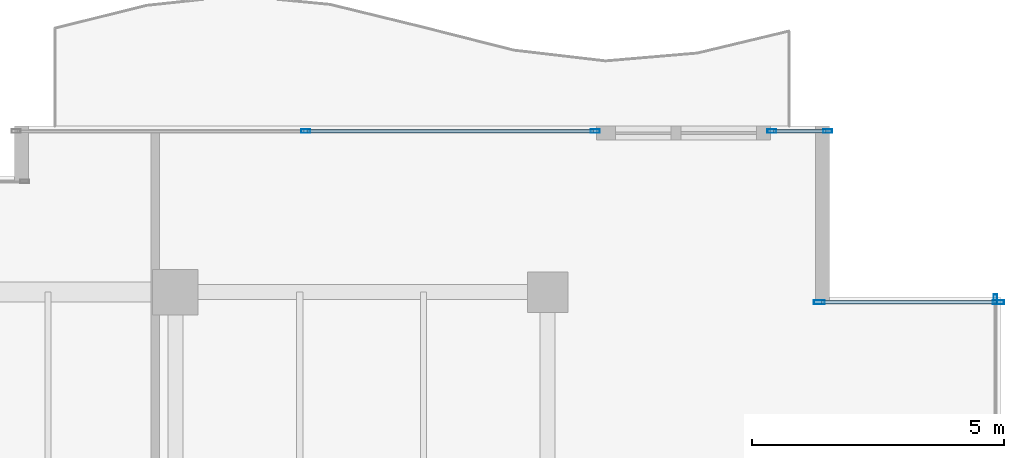
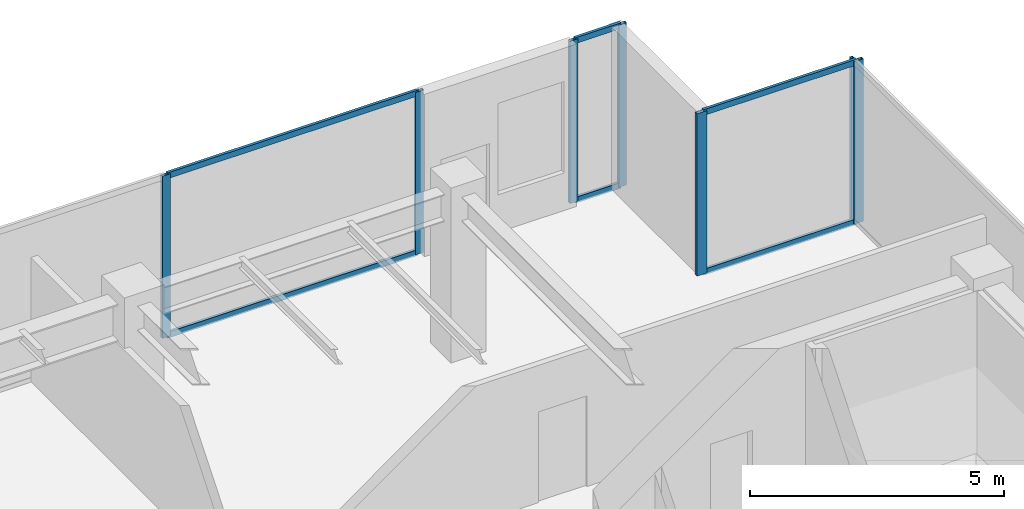
# One storey, part 23 of 31: 13 members, 4 elements without a shape of their own.
"""IFC4 building model written with IfcOpenShell, lengths in metres."""

from ifc_helpers import new_model, si_unit, direction, frame, origin, origin_2d, place, context, subcontext, project, spatial, hollow_rectangle, extrude, source, transform, mapped, material, layer, layer_set, material_profile, profile_set, type_object, type_shapes, element, aggregate, save


model = new_model("IFC4")

# Units and contexts
model_context = context("Model", 3, precision=1e-05, world=origin(), true_north=direction((0.0, 1.0)))
body_context = subcontext(model_context, "Body", "Model", "MODEL_VIEW")
ifc_project = project(units=[si_unit("LENGTHUNIT", "METRE"), si_unit("AREAUNIT", "SQUARE_METRE"), si_unit("VOLUMEUNIT", "CUBIC_METRE"), si_unit("PLANEANGLEUNIT", "RADIAN"), si_unit("MASSUNIT", "GRAM", prefix="KILO")], contexts=[model_context])

# Site, building, storey
site_placement = place(None, origin())
site = spatial("IfcSite", under=ifc_project, at=site_placement, CompositionType="ELEMENT")
building_placement = place(site_placement, origin())
building = spatial("IfcBuilding", under=site, at=building_placement, Name="Haelvirn Gate Laboratories", CompositionType="ELEMENT")
storey_placement = place(building_placement, frame((0.0, 0.0, 310.199951171875)))
storey = spatial("IfcBuildingStorey", under=building, at=storey_placement, Name="L74", CompositionType="ELEMENT", Elevation=310.199951171875)

# Curtain wall, members
ifc_material_1 = material(Name="Anodised bronze unitised aluminium & triple low-E glass", Category="aluminium")
ifc_layer_1 = layer(ifc_material_1, 0.176025390625, Name="CW-SYS-4")
ifc_layer_set_1 = layer_set([ifc_layer_1], Name="Anodised bronze unitised aluminium & triple low-E glass")
curtain_wall_type_1 = type_object("IfcCurtainWallType", Name="CW-SYS-4", PredefinedType="NOTDEFINED", material=ifc_layer_set_1)
curtain_wall_1_placement = place(storey_placement, origin())
curtain_wall_1 = element("IfcCurtainWall", 1, at=curtain_wall_1_placement, inside=storey, type_object=curtain_wall_type_1, Name="L74 Unitised Curtain Wall CW-L74-P0-E10-2", PredefinedType="NOTDEFINED")
ifc_material_2 = material(Name="Extruded aluminium 6063-T6 (anodised bronze)", Category="aluminium")
ifc_material_profile_1 = material_profile(ifc_material_2, hollow_rectangle(XDim=0.06494140625, YDim=0.139892578125, WallThickness=0.00390625, at=origin_2d()), Name="CWT-140x65x4")
ifc_profile_set_1 = profile_set([ifc_material_profile_1], Name="Extruded aluminium 6063-T6 (anodised bronze)")
member_type_1 = type_object("IfcMemberType", Name="CWT-T140", PredefinedType="USERDEFINED", material=ifc_profile_set_1)
shared_shape_1 = source(origin(), body_context, "Body", "SweptSolid", [
    extrude(hollow_rectangle(XDim=0.06494140625, YDim=0.139892578125, WallThickness=0.00390625, at=origin_2d()), origin(), (0.0, 0.0, 1.0), 1.0400390625),
])
member_1_placement = place(storey_placement, frame((64.489990234375, 44.800048828125, 0.032470703125), z_axis=(1.0, 0.0, 0.0), x_axis=(0.0, 1.0, 0.0)))
member_1 = element("IfcMember", 2, at=member_1_placement, type_object=member_type_1, Name="CW4 transom 1.1", ObjectType="TRANSOM", PredefinedType="USERDEFINED", context=body_context, shape_type="MappedRepresentation", body=[
    mapped(shared_shape_1, transform((0.0, 0.0, 0.0), scale=1.0)),
])
member_2_placement = place(storey_placement, frame((64.489990234375, 44.800048828125, 3.867431640625), z_axis=(1.0, 0.0, 0.0), x_axis=(0.0, 1.0, 0.0)))
member_2 = element("IfcMember", 3, at=member_2_placement, type_object=member_type_1, Name="CW4 transom 1.2", ObjectType="TRANSOM", PredefinedType="USERDEFINED", context=body_context, shape_type="MappedRepresentation", body=[
    mapped(shared_shape_1, transform((0.0, 0.0, 0.0), scale=1.0)),
])

ifc_layer_2 = layer(ifc_material_1, 0.181884765625, Name="CW-SYS-5")
ifc_layer_set_2 = layer_set([ifc_layer_2], Name="Anodised bronze unitised aluminium & triple low-E glass")
curtain_wall_type_2 = type_object("IfcCurtainWallType", Name="CW-SYS-5", PredefinedType="NOTDEFINED", material=ifc_layer_set_2)
curtain_wall_2_placement = place(storey_placement, origin())
curtain_wall_2 = element("IfcCurtainWall", 4, at=curtain_wall_2_placement, inside=storey, type_object=curtain_wall_type_2, Name="L74 Unitised Curtain Wall CW-L74-P0-E08-1", PredefinedType="NOTDEFINED")
shared_shape_2 = source(origin(), body_context, "Body", "SweptSolid", [
    extrude(hollow_rectangle(XDim=0.06494140625, YDim=0.139892578125, WallThickness=0.00390625, at=origin_2d()), origin(), (0.0, 0.0, 1.0), 3.47998046875),
])
member_3_placement = place(storey_placement, frame((65.43994140625, 41.39990234375, 0.032470703125), z_axis=(1.0, 0.0, 0.0), x_axis=(0.0, 1.0, 0.0)))
member_3 = element("IfcMember", 5, at=member_3_placement, type_object=member_type_1, Name="CW5 transom 1.1", ObjectType="TRANSOM", PredefinedType="USERDEFINED", context=body_context, shape_type="MappedRepresentation", body=[
    mapped(shared_shape_2, transform((0.0, 0.0, 0.0), scale=1.0)),
])
member_4_placement = place(storey_placement, frame((65.43994140625, 41.39990234375, 3.867431640625), z_axis=(1.0, 0.0, 0.0), x_axis=(0.0, 1.0, 0.0)))
member_4 = element("IfcMember", 6, at=member_4_placement, type_object=member_type_1, Name="CW5 transom 1.2", ObjectType="TRANSOM", PredefinedType="USERDEFINED", context=body_context, shape_type="MappedRepresentation", body=[
    mapped(shared_shape_2, transform((0.0, 0.0, 0.0), scale=1.0)),
])

# Curtain wall, member
curtain_wall_3_placement = place(storey_placement, origin())
curtain_wall_3 = element("IfcCurtainWall", 7, at=curtain_wall_3_placement, inside=storey, type_object=curtain_wall_type_1, Name="L74 Unitised Curtain Wall CW-L74-P0-E07", PredefinedType="NOTDEFINED")
ifc_material_profile_2 = material_profile(ifc_material_2, hollow_rectangle(XDim=0.070068359375, YDim=0.179931640625, WallThickness=0.0048828125, at=origin_2d()), Name="CWM-180x70x5")
ifc_profile_set_2 = profile_set([ifc_material_profile_2], Name="Extruded aluminium 6063-T6 (anodised bronze)")
member_type_2 = type_object("IfcMemberType", Name="CWM-T180", PredefinedType="MULLION", material=ifc_profile_set_2)
shared_shape_3 = source(origin(), body_context, "Body", "SweptSolid", [
    extrude(hollow_rectangle(XDim=0.070068359375, YDim=0.179931640625, WallThickness=0.0048828125, at=origin_2d()), origin(), (0.0, 0.0, 1.0), 3.900146484375),
])
type_shapes(member_type_2, [shared_shape_3])
member_5_placement = place(storey_placement, frame((68.89990234375, 41.465087890625, 0.0), z_axis=(0.0, 0.0, 1.0), x_axis=(-1.0, 0.0, 0.0)))
member_5 = element("IfcMember", 8, at=member_5_placement, type_object=member_type_2, Name="CW4 mullion 3", PredefinedType="MULLION", context=body_context, shape_type="MappedRepresentation", body=[
    mapped(shared_shape_3, transform((0.0, 0.0, 0.0), scale=1.0)),
])
aggregate(curtain_wall_3, [member_5])

# Curtain wall, members
curtain_wall_4_placement = place(storey_placement, origin())
curtain_wall_4 = element("IfcCurtainWall", 9, at=curtain_wall_4_placement, inside=storey, type_object=curtain_wall_type_1, Name="L74 Unitised Curtain Wall CW-L74-P0-E10-1", PredefinedType="NOTDEFINED")
member_6_placement = place(storey_placement, frame((55.18994140625, 44.800048828125, 0.0), z_axis=(0.0, 0.0, 1.0), x_axis=(0.0, 1.0, 0.0)))
member_6 = element("IfcMember", 10, at=member_6_placement, type_object=member_type_2, Name="CW4 mullion 2", PredefinedType="MULLION", context=body_context, shape_type="MappedRepresentation", body=[
    mapped(shared_shape_3, transform((0.0, 0.0, 0.0), scale=1.0)),
])
member_7_placement = place(storey_placement, frame((60.945068359375, 44.800048828125, 0.0), z_axis=(0.0, 0.0, 1.0), x_axis=(0.0, 1.0, 0.0)))
member_7 = element("IfcMember", 11, at=member_7_placement, type_object=member_type_2, Name="CW4 mullion 3", PredefinedType="MULLION", context=body_context, shape_type="MappedRepresentation", body=[
    mapped(shared_shape_3, transform((0.0, 0.0, 0.0), scale=1.0)),
])

# Member
member_8_placement = place(storey_placement, frame((64.455078125, 44.800048828125, 0.0), z_axis=(0.0, 0.0, 1.0), x_axis=(0.0, 1.0, 0.0)))
member_8 = element("IfcMember", 12, at=member_8_placement, type_object=member_type_2, Name="CW4 mullion 1", PredefinedType="MULLION", context=body_context, shape_type="MappedRepresentation", body=[
    mapped(shared_shape_3, transform((0.0, 0.0, 0.0), scale=1.0)),
])

member_9_placement = place(storey_placement, frame((65.56494140625, 44.800048828125, 0.0), z_axis=(0.0, 0.0, 1.0), x_axis=(0.0, 1.0, 0.0)))
member_9 = element("IfcMember", 13, at=member_9_placement, type_object=member_type_2, Name="CW4 mullion 2", PredefinedType="MULLION", context=body_context, shape_type="MappedRepresentation", body=[
    mapped(shared_shape_3, transform((0.0, 0.0, 0.0), scale=1.0)),
])

aggregate(curtain_wall_1, [member_8, member_9, member_1, member_2])

ifc_material_profile_3 = material_profile(ifc_material_2, hollow_rectangle(XDim=0.080078125, YDim=0.219970703125, WallThickness=0.006103515625, at=origin_2d()), Name="CWM-220x80x6")
ifc_profile_set_3 = profile_set([ifc_material_profile_3], Name="Extruded aluminium 6063-T6 (anodised bronze)")
member_type_3 = type_object("IfcMemberType", Name="CWM-T220", PredefinedType="MULLION", material=ifc_profile_set_3)
shared_shape_4 = source(origin(), body_context, "Body", "SweptSolid", [
    extrude(hollow_rectangle(XDim=0.080078125, YDim=0.219970703125, WallThickness=0.006103515625, at=origin_2d()), origin(), (0.0, 0.0, 1.0), 3.900146484375),
])
type_shapes(member_type_3, [shared_shape_4])
member_10_placement = place(storey_placement, frame((65.39990234375, 41.39990234375, 0.0), z_axis=(0.0, 0.0, 1.0), x_axis=(0.0, 1.0, 0.0)))
member_10 = element("IfcMember", 14, at=member_10_placement, type_object=member_type_3, Name="CW5 mullion 1", PredefinedType="MULLION", context=body_context, shape_type="MappedRepresentation", body=[
    mapped(shared_shape_4, transform((0.0, 0.0, 0.0), scale=1.0)),
])

member_11_placement = place(storey_placement, frame((68.9599609375, 41.39990234375, 0.0), z_axis=(0.0, 0.0, 1.0), x_axis=(0.0, 1.0, 0.0)))
member_11 = element("IfcMember", 15, at=member_11_placement, type_object=member_type_3, Name="CW5 mullion 2", PredefinedType="MULLION", context=body_context, shape_type="MappedRepresentation", body=[
    mapped(shared_shape_4, transform((0.0, 0.0, 0.0), scale=1.0)),
])

aggregate(curtain_wall_2, [member_10, member_11, member_3, member_4])

shared_shape_5 = source(origin(), body_context, "Body", "SweptSolid", [
    extrude(hollow_rectangle(XDim=0.06494140625, YDim=0.139892578125, WallThickness=0.00390625, at=origin_2d()), origin(), (0.0, 0.0, 1.0), 5.684814453125),
])
type_shapes(member_type_1, [shared_shape_1, shared_shape_2, shared_shape_5])
member_12_placement = place(storey_placement, frame((55.22509765625, 44.800048828125, 0.032470703125), z_axis=(1.0, 0.0, 0.0), x_axis=(0.0, 1.0, 0.0)))
member_12 = element("IfcMember", 16, at=member_12_placement, type_object=member_type_1, Name="CW4 transom 2.1", ObjectType="TRANSOM", PredefinedType="USERDEFINED", context=body_context, shape_type="MappedRepresentation", body=[
    mapped(shared_shape_5, transform((0.0, 0.0, 0.0), scale=1.0)),
])

member_13_placement = place(storey_placement, frame((55.22509765625, 44.800048828125, 3.867431640625), z_axis=(1.0, 0.0, 0.0), x_axis=(0.0, 1.0, 0.0)))
member_13 = element("IfcMember", 17, at=member_13_placement, type_object=member_type_1, Name="CW4 transom 2.2", ObjectType="TRANSOM", PredefinedType="USERDEFINED", context=body_context, shape_type="MappedRepresentation", body=[
    mapped(shared_shape_5, transform((0.0, 0.0, 0.0), scale=1.0)),
])

aggregate(curtain_wall_4, [member_6, member_7, member_12, member_13])

save(model, "model.ifc")
